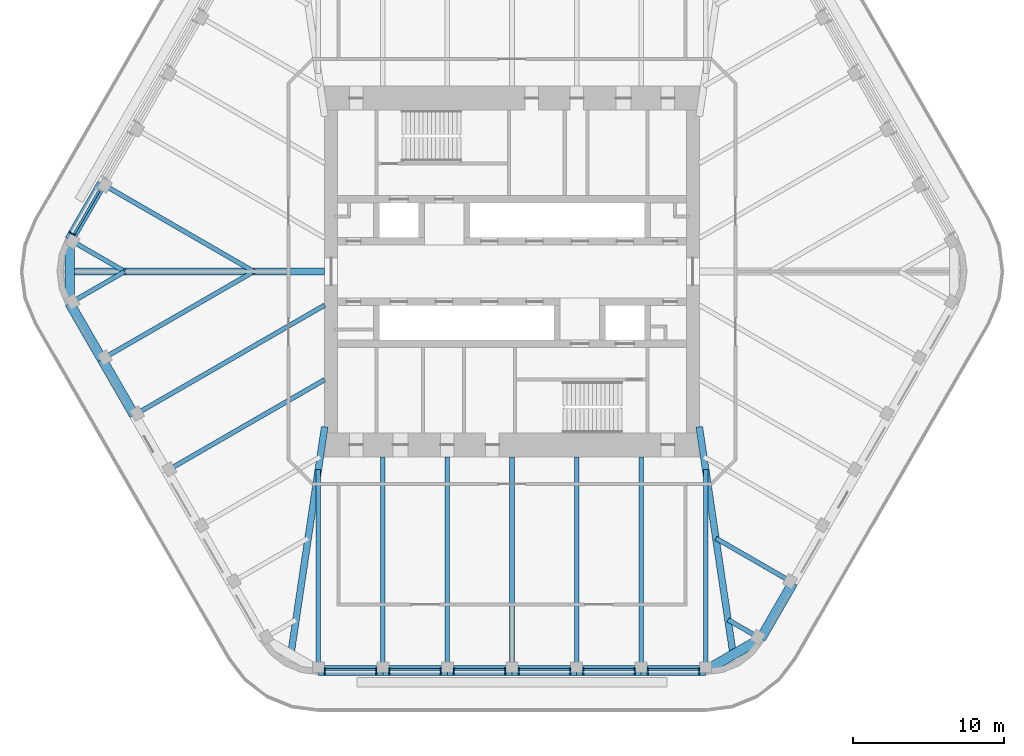
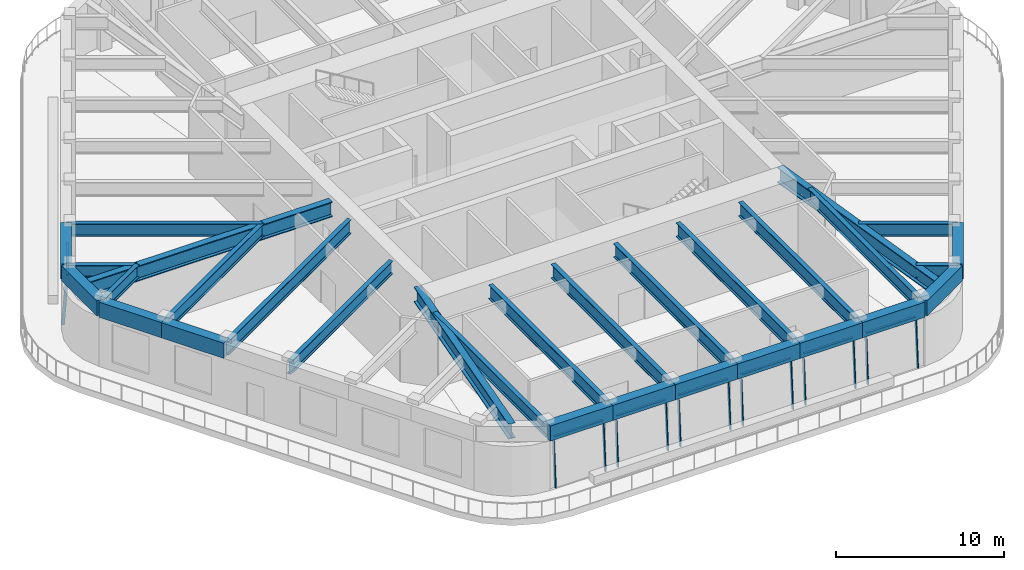
# One storey, part 2 of 13: 30 beams, 20 members, 7 elements without a shape of their own.
"""IFC4 building model written with IfcOpenShell, lengths in metres."""

from ifc_helpers import new_model, si_unit, direction, frame, origin, origin_2d, place, context, subcontext, project, spatial, rectangle, i_section, extrude, material, material_profile, profile_set, type_object, element, aggregate, save


model = new_model("IFC4")

# Units and contexts
model_context = context("Model", 3, precision=1e-05, world=origin(), true_north=direction((0.0, 1.0)))
body_context = subcontext(model_context, "Body", "Model", "MODEL_VIEW")
ifc_project = project(units=[si_unit("LENGTHUNIT", "METRE"), si_unit("AREAUNIT", "SQUARE_METRE"), si_unit("VOLUMEUNIT", "CUBIC_METRE"), si_unit("PLANEANGLEUNIT", "RADIAN"), si_unit("MASSUNIT", "GRAM", prefix="KILO")], contexts=[model_context])

# Site, building, storey
site_placement = place(None, origin())
site = spatial("IfcSite", under=ifc_project, at=site_placement, CompositionType="ELEMENT")
building_placement = place(site_placement, origin())
building = spatial("IfcBuilding", under=site, at=building_placement, Name="Tarfa Lantern Tower", CompositionType="ELEMENT")
storey_placement = place(building_placement, frame((0.0, 0.0, 391.300048828125)))
storey = spatial("IfcBuildingStorey", under=building, at=storey_placement, Name="L89", CompositionType="ELEMENT", Elevation=391.300048828125)

# Curtain wall, member
ifc_material_1 = material(Name="Aluminium framed curtain wall", Category="aluminium")
curtain_wall_type = type_object("IfcCurtainWallType", Name="CW5 CANTED GLAZING SKY LOBBY 3600", PredefinedType="USERDEFINED", material=ifc_material_1)
curtain_wall_1_placement = place(storey_placement, origin())
curtain_wall_1 = element("IfcCurtainWall", 1, at=curtain_wall_1_placement, inside=storey, type_object=curtain_wall_type, Name="CW5 NW L89", ObjectType="CURTAIN WALL", PredefinedType="USERDEFINED")
ifc_material_2 = material(Name="Aluminium mullion", Category="aluminium")
ifc_material_profile_1 = material_profile(ifc_material_2, rectangle(XDim=0.06494140625, YDim=0.199951171875, at=origin_2d()), Name="AL MULLION 65x200")
ifc_profile_set_1 = profile_set([ifc_material_profile_1], Name="Aluminium mullion")
member_type_1 = type_object("IfcMemberType", Name="CWM1 MULLION 65x200", PredefinedType="MULLION", material=ifc_profile_set_1)
member_1_placement = place(storey_placement, frame((-29.286376953125, 2.574462890625, 0.0), z_axis=(0.060011397565, -0.03464017537, 0.997596456696), x_axis=(0.499919672301, 0.866071776036, 0.0)))
member_1 = element("IfcMember", 2, at=member_1_placement, type_object=member_type_1, Name="CW5 mullion 2", PredefinedType="MULLION", context=body_context, shape_type="SweptSolid", body=[
    extrude(rectangle(XDim=0.06494140625, YDim=0.199951171875, at=origin_2d()), origin(), (0.0, 0.0, 1.0), 3.608642578125),
])

# Curtain wall, members
curtain_wall_2_placement = place(storey_placement, origin())
curtain_wall_2 = element("IfcCurtainWall", 3, at=curtain_wall_2_placement, inside=storey, type_object=curtain_wall_type, Name="CW5 S L89", ObjectType="CURTAIN WALL", PredefinedType="USERDEFINED")
member_2_placement = place(storey_placement, frame((-12.41357421875, -26.64990234375, 0.0), z_axis=(0.0, 0.069280404175, 0.997597226138), x_axis=(-1.0, 0.0, 0.0)))
member_2 = element("IfcMember", 4, at=member_2_placement, type_object=member_type_1, Name="CW5 mullion 1", PredefinedType="MULLION", context=body_context, shape_type="SweptSolid", body=[
    extrude(rectangle(XDim=0.06494140625, YDim=0.199951171875, at=origin_2d()), origin(), (0.0, 0.0, 1.0), 3.608642578125),
])
member_3_placement = place(storey_placement, frame((-8.99658203125, -26.64990234375, 0.0), z_axis=(0.0, 0.069280404175, 0.997597226138), x_axis=(-1.0, 0.0, 0.0)))
member_3 = element("IfcMember", 5, at=member_3_placement, type_object=member_type_1, Name="CW5 mullion 2", PredefinedType="MULLION", context=body_context, shape_type="SweptSolid", body=[
    extrude(rectangle(XDim=0.06494140625, YDim=0.199951171875, at=origin_2d()), origin(), (0.0, 0.0, 1.0), 3.608642578125),
])

curtain_wall_3_placement = place(storey_placement, origin())
curtain_wall_3 = element("IfcCurtainWall", 6, at=curtain_wall_3_placement, inside=storey, type_object=curtain_wall_type, Name="CW5 S L89", ObjectType="CURTAIN WALL", PredefinedType="USERDEFINED")
member_4_placement = place(storey_placement, frame((-8.131591796875, -26.64990234375, 0.0), z_axis=(0.0, 0.069280404175, 0.997597226138), x_axis=(-1.0, 0.0, 0.0)))
member_4 = element("IfcMember", 7, at=member_4_placement, type_object=member_type_1, Name="CW5 mullion 1", PredefinedType="MULLION", context=body_context, shape_type="SweptSolid", body=[
    extrude(rectangle(XDim=0.06494140625, YDim=0.199951171875, at=origin_2d()), origin(), (0.0, 0.0, 1.0), 3.608642578125),
])
member_5_placement = place(storey_placement, frame((-4.714599609375, -26.64990234375, 0.0), z_axis=(0.0, 0.069280404175, 0.997597226138), x_axis=(-1.0, 0.0, 0.0)))
member_5 = element("IfcMember", 8, at=member_5_placement, type_object=member_type_1, Name="CW5 mullion 2", PredefinedType="MULLION", context=body_context, shape_type="SweptSolid", body=[
    extrude(rectangle(XDim=0.06494140625, YDim=0.199951171875, at=origin_2d()), origin(), (0.0, 0.0, 1.0), 3.608642578125),
])

curtain_wall_4_placement = place(storey_placement, origin())
curtain_wall_4 = element("IfcCurtainWall", 9, at=curtain_wall_4_placement, inside=storey, type_object=curtain_wall_type, Name="CW5 S L89", ObjectType="CURTAIN WALL", PredefinedType="USERDEFINED")
member_6_placement = place(storey_placement, frame((-3.849609375, -26.64990234375, 0.0), z_axis=(0.0, 0.069280404175, 0.997597226138), x_axis=(-1.0, 0.0, 0.0)))
member_6 = element("IfcMember", 10, at=member_6_placement, type_object=member_type_1, Name="CW5 mullion 1", PredefinedType="MULLION", context=body_context, shape_type="SweptSolid", body=[
    extrude(rectangle(XDim=0.06494140625, YDim=0.199951171875, at=origin_2d()), origin(), (0.0, 0.0, 1.0), 3.608642578125),
])
member_7_placement = place(storey_placement, frame((-0.4326171875, -26.64990234375, 0.0), z_axis=(0.0, 0.069280404175, 0.997597226138), x_axis=(-1.0, 0.0, 0.0)))
member_7 = element("IfcMember", 11, at=member_7_placement, type_object=member_type_1, Name="CW5 mullion 2", PredefinedType="MULLION", context=body_context, shape_type="SweptSolid", body=[
    extrude(rectangle(XDim=0.06494140625, YDim=0.199951171875, at=origin_2d()), origin(), (0.0, 0.0, 1.0), 3.608642578125),
])

curtain_wall_5_placement = place(storey_placement, origin())
curtain_wall_5 = element("IfcCurtainWall", 12, at=curtain_wall_5_placement, inside=storey, type_object=curtain_wall_type, Name="CW5 S L89", ObjectType="CURTAIN WALL", PredefinedType="USERDEFINED")
member_8_placement = place(storey_placement, frame((0.4326171875, -26.64990234375, 0.0), z_axis=(0.0, 0.069280404175, 0.997597226138), x_axis=(-1.0, 0.0, 0.0)))
member_8 = element("IfcMember", 13, at=member_8_placement, type_object=member_type_1, Name="CW5 mullion 1", PredefinedType="MULLION", context=body_context, shape_type="SweptSolid", body=[
    extrude(rectangle(XDim=0.06494140625, YDim=0.199951171875, at=origin_2d()), origin(), (0.0, 0.0, 1.0), 3.608642578125),
])
member_9_placement = place(storey_placement, frame((3.849609375, -26.64990234375, 0.0), z_axis=(0.0, 0.069280404175, 0.997597226138), x_axis=(-1.0, 0.0, 0.0)))
member_9 = element("IfcMember", 14, at=member_9_placement, type_object=member_type_1, Name="CW5 mullion 2", PredefinedType="MULLION", context=body_context, shape_type="SweptSolid", body=[
    extrude(rectangle(XDim=0.06494140625, YDim=0.199951171875, at=origin_2d()), origin(), (0.0, 0.0, 1.0), 3.608642578125),
])

curtain_wall_6_placement = place(storey_placement, origin())
curtain_wall_6 = element("IfcCurtainWall", 15, at=curtain_wall_6_placement, inside=storey, type_object=curtain_wall_type, Name="CW5 S L89", ObjectType="CURTAIN WALL", PredefinedType="USERDEFINED")
member_10_placement = place(storey_placement, frame((4.714599609375, -26.64990234375, 0.0), z_axis=(0.0, 0.069280404175, 0.997597226138), x_axis=(-1.0, 0.0, 0.0)))
member_10 = element("IfcMember", 16, at=member_10_placement, type_object=member_type_1, Name="CW5 mullion 1", PredefinedType="MULLION", context=body_context, shape_type="SweptSolid", body=[
    extrude(rectangle(XDim=0.06494140625, YDim=0.199951171875, at=origin_2d()), origin(), (0.0, 0.0, 1.0), 3.608642578125),
])
member_11_placement = place(storey_placement, frame((8.131591796875, -26.64990234375, 0.0), z_axis=(0.0, 0.069280404175, 0.997597226138), x_axis=(-1.0, 0.0, 0.0)))
member_11 = element("IfcMember", 17, at=member_11_placement, type_object=member_type_1, Name="CW5 mullion 2", PredefinedType="MULLION", context=body_context, shape_type="SweptSolid", body=[
    extrude(rectangle(XDim=0.06494140625, YDim=0.199951171875, at=origin_2d()), origin(), (0.0, 0.0, 1.0), 3.608642578125),
])

curtain_wall_7_placement = place(storey_placement, origin())
curtain_wall_7 = element("IfcCurtainWall", 18, at=curtain_wall_7_placement, inside=storey, type_object=curtain_wall_type, Name="CW5 S L89", ObjectType="CURTAIN WALL", PredefinedType="USERDEFINED")
member_12_placement = place(storey_placement, frame((8.99658203125, -26.64990234375, 0.0), z_axis=(0.0, 0.069280404175, 0.997597226138), x_axis=(-1.0, 0.0, 0.0)))
member_12 = element("IfcMember", 19, at=member_12_placement, type_object=member_type_1, Name="CW5 mullion 1", PredefinedType="MULLION", context=body_context, shape_type="SweptSolid", body=[
    extrude(rectangle(XDim=0.06494140625, YDim=0.199951171875, at=origin_2d()), origin(), (0.0, 0.0, 1.0), 3.608642578125),
])
member_13_placement = place(storey_placement, frame((12.41357421875, -26.64990234375, 0.0), z_axis=(0.0, 0.069280404175, 0.997597226138), x_axis=(-1.0, 0.0, 0.0)))
member_13 = element("IfcMember", 20, at=member_13_placement, type_object=member_type_1, Name="CW5 mullion 2", PredefinedType="MULLION", context=body_context, shape_type="SweptSolid", body=[
    extrude(rectangle(XDim=0.06494140625, YDim=0.199951171875, at=origin_2d()), origin(), (0.0, 0.0, 1.0), 3.608642578125),
])

# Member
ifc_material_3 = material(Name="Aluminium transom", Category="aluminium")
ifc_material_profile_2 = material_profile(ifc_material_3, rectangle(XDim=0.14990234375, YDim=0.06494140625, at=origin_2d()), Name="AL TRANSOM 150x65")
ifc_profile_set_2 = profile_set([ifc_material_profile_2], Name="Aluminium transom")
member_type_2 = type_object("IfcMemberType", Name="CWT1 TRANSOM 150x65", PredefinedType="USERDEFINED", material=ifc_profile_set_2)
member_14_placement = place(storey_placement, frame((-27.379638671875, 5.3818359375, 3.5673828125), z_axis=(-0.499985139611, -0.866033983264, 0.0), x_axis=(0.866033983264, -0.499985139611, 0.0)))
member_14 = element("IfcMember", 21, at=member_14_placement, type_object=member_type_2, Name="CW5 transom 1.2", ObjectType="TRANSOM", PredefinedType="USERDEFINED", context=body_context, shape_type="SweptSolid", body=[
    extrude(rectangle(XDim=0.14990234375, YDim=0.06494140625, at=origin_2d()), origin(), (0.0, 0.0, 1.0), 3.35205078125),
])

aggregate(curtain_wall_1, [member_1, member_14])

member_15_placement = place(storey_placement, frame((-12.381103515625, -26.40234375, 3.5673828125), z_axis=(1.0, 0.0, 0.0), x_axis=(0.0, 1.0, 0.0)))
member_15 = element("IfcMember", 22, at=member_15_placement, type_object=member_type_2, Name="CW5 transom 1.2", ObjectType="TRANSOM", PredefinedType="USERDEFINED", context=body_context, shape_type="SweptSolid", body=[
    extrude(rectangle(XDim=0.14990234375, YDim=0.06494140625, at=origin_2d()), origin(), (0.0, 0.0, 1.0), 3.35205078125),
])

aggregate(curtain_wall_2, [member_2, member_3, member_15])

member_16_placement = place(storey_placement, frame((-8.09912109375, -26.40234375, 3.5673828125), z_axis=(1.0, 0.0, 0.0), x_axis=(0.0, 1.0, 0.0)))
member_16 = element("IfcMember", 23, at=member_16_placement, type_object=member_type_2, Name="CW5 transom 1.2", ObjectType="TRANSOM", PredefinedType="USERDEFINED", context=body_context, shape_type="SweptSolid", body=[
    extrude(rectangle(XDim=0.14990234375, YDim=0.06494140625, at=origin_2d()), origin(), (0.0, 0.0, 1.0), 3.35205078125),
])

aggregate(curtain_wall_3, [member_4, member_5, member_16])

member_17_placement = place(storey_placement, frame((-3.81689453125, -26.40234375, 3.5673828125), z_axis=(1.0, 0.0, 0.0), x_axis=(0.0, 1.0, 0.0)))
member_17 = element("IfcMember", 24, at=member_17_placement, type_object=member_type_2, Name="CW5 transom 1.2", ObjectType="TRANSOM", PredefinedType="USERDEFINED", context=body_context, shape_type="SweptSolid", body=[
    extrude(rectangle(XDim=0.14990234375, YDim=0.06494140625, at=origin_2d()), origin(), (0.0, 0.0, 1.0), 3.351806640625),
])

aggregate(curtain_wall_4, [member_6, member_7, member_17])

member_18_placement = place(storey_placement, frame((0.465087890625, -26.40234375, 3.5673828125), z_axis=(1.0, 0.0, 0.0), x_axis=(0.0, 1.0, 0.0)))
member_18 = element("IfcMember", 25, at=member_18_placement, type_object=member_type_2, Name="CW5 transom 1.2", ObjectType="TRANSOM", PredefinedType="USERDEFINED", context=body_context, shape_type="SweptSolid", body=[
    extrude(rectangle(XDim=0.14990234375, YDim=0.06494140625, at=origin_2d()), origin(), (0.0, 0.0, 1.0), 3.351806640625),
])

aggregate(curtain_wall_5, [member_8, member_9, member_18])

member_19_placement = place(storey_placement, frame((4.7470703125, -26.40234375, 3.5673828125), z_axis=(1.0, 0.0, 0.0), x_axis=(0.0, 1.0, 0.0)))
member_19 = element("IfcMember", 26, at=member_19_placement, type_object=member_type_2, Name="CW5 transom 1.2", ObjectType="TRANSOM", PredefinedType="USERDEFINED", context=body_context, shape_type="SweptSolid", body=[
    extrude(rectangle(XDim=0.14990234375, YDim=0.06494140625, at=origin_2d()), origin(), (0.0, 0.0, 1.0), 3.35205078125),
])

aggregate(curtain_wall_6, [member_10, member_11, member_19])

member_20_placement = place(storey_placement, frame((9.029052734375, -26.40234375, 3.5673828125), z_axis=(1.0, 0.0, 0.0), x_axis=(0.0, 1.0, 0.0)))
member_20 = element("IfcMember", 27, at=member_20_placement, type_object=member_type_2, Name="CW5 transom 1.2", ObjectType="TRANSOM", PredefinedType="USERDEFINED", context=body_context, shape_type="SweptSolid", body=[
    extrude(rectangle(XDim=0.14990234375, YDim=0.06494140625, at=origin_2d()), origin(), (0.0, 0.0, 1.0), 3.35205078125),
])

aggregate(curtain_wall_7, [member_12, member_13, member_20])

# Beams
ifc_material_4 = material(Name="Concrete C80/95", Category="concrete")
ifc_material_profile_3 = material_profile(ifc_material_4, rectangle(XDim=0.64990234375, YDim=1.10009765625, at=origin_2d()), Name="RC 650x1100")
ifc_profile_set_3 = profile_set([ifc_material_profile_3], Name="Concrete C80/95")
beam_type_1 = type_object("IfcBeamType", Name="EB4 RC 650x1100", PredefinedType="SPANDREL", material=ifc_profile_set_3)
beam_1_placement = place(storey_placement, frame((-27.205810546875, 5.818359375, 4.14990234375), z_axis=(-0.499984039138, -0.866034618596, 0.0), x_axis=(0.866034618596, -0.499984039138, 0.0)))
element("IfcBeam", 28, at=beam_1_placement, inside=storey, type_object=beam_type_1, Name="Edge beam NW5", PredefinedType="SPANDREL", context=body_context, shape_type="SweptSolid", body=[
    extrude(rectangle(XDim=0.64990234375, YDim=1.10009765625, at=origin_2d()), origin(), (0.0, 0.0, 1.0), 4.281982421875),
])
beam_2_placement = place(storey_placement, frame((-29.3466796875, 2.110107421875, 4.14990234375), z_axis=(0.0, -1.0, 0.0), x_axis=(1.0, 0.0, 0.0)))
element("IfcBeam", 29, at=beam_2_placement, inside=storey, type_object=beam_type_1, Name="Edge beam NW6", PredefinedType="SPANDREL", context=body_context, shape_type="SweptSolid", body=[
    extrude(rectangle(XDim=0.64990234375, YDim=1.10009765625, at=origin_2d()), origin(), (0.0, 0.0, 1.0), 4.22021484375),
])
for number, where, z_axis, x_axis, name in (
    (30, (-29.3466796875, -2.110107421875, 4.14990234375), (0.499984039138, -0.866034618596, 0.0), (0.866034618596, 0.499984039138, 0.0), "Edge beam SW0"),
    (31, (-27.205810546875, -5.818359375, 4.14990234375), (0.500026801138, -0.866009929587, 0.0), (0.866009929587, 0.500026801138, 0.0), "Edge beam SW1"),
    (32, (-12.845947265625, -26.469970703125, 4.14990234375), (1.0, 0.0, 0.0), (0.0, 1.0, 0.0), "Edge beam S0"),
    (33, (-8.56396484375, -26.469970703125, 4.14990234375), (1.0, 0.0, 0.0), (0.0, 1.0, 0.0), "Edge beam S1"),
    (34, (-4.281982421875, -26.469970703125, 4.14990234375), (1.0, 0.0, 0.0), (0.0, 1.0, 0.0), "Edge beam S2"),
    (35, (0.0, -26.469970703125, 4.14990234375), (1.0, 0.0, 0.0), (0.0, 1.0, 0.0), "Edge beam S3"),
    (36, (4.281982421875, -26.469970703125, 4.14990234375), (1.0, 0.0, 0.0), (0.0, 1.0, 0.0), "Edge beam S4"),
    (37, (8.56396484375, -26.469970703125, 4.14990234375), (1.0, 0.0, 0.0), (0.0, 1.0, 0.0), "Edge beam S5"),
):
    element("IfcBeam", number, at=place(storey_placement, frame(where, z_axis=z_axis, x_axis=x_axis)), inside=storey, type_object=beam_type_1, Name=name, PredefinedType="SPANDREL", context=body_context, shape_type="SweptSolid", body=[
        extrude(rectangle(XDim=0.64990234375, YDim=1.10009765625, at=origin_2d()), origin(), (0.0, 0.0, 1.0), 4.281982421875),
    ])
beam_3_placement = place(storey_placement, frame((12.845947265625, -26.469970703125, 4.14990234375), z_axis=(0.866048788483, 0.499959494327, 0.0), x_axis=(-0.499959494327, 0.866048788483, 0.0)))
element("IfcBeam", 38, at=beam_3_placement, inside=storey, type_object=beam_type_1, Name="Edge beam S6", PredefinedType="SPANDREL", context=body_context, shape_type="SweptSolid", body=[
    extrude(rectangle(XDim=0.64990234375, YDim=1.10009765625, at=origin_2d()), origin(), (0.0, 0.0, 1.0), 4.219970703125),
])
beam_4_placement = place(storey_placement, frame((16.500732421875, -24.360107421875, 4.14990234375), z_axis=(0.499959351497, 0.866048870937, 0.0), x_axis=(-0.866048870937, 0.499959351497, 0.0)))
element("IfcBeam", 39, at=beam_4_placement, inside=storey, type_object=beam_type_1, Name="Edge beam SE0", PredefinedType="SPANDREL", context=body_context, shape_type="SweptSolid", body=[
    extrude(rectangle(XDim=0.64990234375, YDim=1.10009765625, at=origin_2d()), origin(), (0.0, 0.0, 1.0), 4.281982421875),
])
ifc_material_5 = material(Name="Steel S460M", Category="steel")
ifc_material_profile_4 = material_profile(ifc_material_5, i_section(OverallWidth=0.449951171875, OverallDepth=1.10009765625, WebThickness=0.030029296875, FlangeThickness=0.06005859375, at=origin_2d()), Name="PG1100x450x655")
ifc_profile_set_4 = profile_set([ifc_material_profile_4], Name="Steel S460M")
beam_type_2 = type_object("IfcBeamType", Name="PG1100x450x655", PredefinedType="BEAM", material=ifc_profile_set_4)
beam_5_placement = place(storey_placement, frame((-12.425048828125, 0.0, 4.14990234375), z_axis=(-1.0, 0.0, 0.0), x_axis=(0.0, -1.0, 0.0)))
element("IfcBeam", 40, at=beam_5_placement, inside=storey, type_object=beam_type_2, Name="Hip girder W", PredefinedType="BEAM", context=body_context, shape_type="SweptSolid", body=[
    extrude(i_section(OverallWidth=0.449951171875, OverallDepth=1.10009765625, WebThickness=0.030029296875, FlangeThickness=0.06005859375, at=origin_2d()), origin(), (0.0, 0.0, 1.0), 16.921630859375),
])
for number, where, z_axis, x_axis, name in (
    (41, (-12.425048828125, -10.300048828125, 4.14990234375), (-0.147127069073, -0.989117599452, 0.0), (0.989117599452, -0.147127069073, 0.0), "Hip girder SW"),
    (42, (12.425048828125, -10.300048828125, 4.14990234375), (0.147127069073, -0.989117599452, 0.0), (0.989117599452, 0.147127069073, 0.0), "Hip girder SE"),
):
    element("IfcBeam", number, at=place(storey_placement, frame(where, z_axis=z_axis, x_axis=x_axis)), inside=storey, type_object=beam_type_2, Name=name, PredefinedType="BEAM", context=body_context, shape_type="SweptSolid", body=[
        extrude(i_section(OverallWidth=0.449951171875, OverallDepth=1.10009765625, WebThickness=0.030029296875, FlangeThickness=0.06005859375, at=origin_2d()), origin(), (0.0, 0.0, 1.0), 15.28125),
    ])
ifc_material_profile_5 = material_profile(ifc_material_5, i_section(OverallWidth=0.302001953125, OverallDepth=1.008056640625, WebThickness=0.02099609375, FlangeThickness=0.0400390625, FilletRadius=0.030029296875, at=origin_2d()), Name="UB1016x305x349")
ifc_profile_set_5 = profile_set([ifc_material_profile_5], Name="Steel S460M")
beam_type_3 = type_object("IfcBeamType", Name="UB1016x305x349", PredefinedType="BEAM", material=ifc_profile_set_5)
beam_6_placement = place(storey_placement, frame((-25.064697265625, -9.526611328125, 4.19580078125), z_axis=(0.866029591389, 0.499992746786, 0.0), x_axis=(-0.499992746786, 0.866029591389, 0.0)))
element("IfcBeam", 43, at=beam_6_placement, inside=storey, type_object=beam_type_3, Name="Floor beam SW2", PredefinedType="BEAM", context=body_context, shape_type="SweptSolid", body=[
    extrude(i_section(OverallWidth=0.302001953125, OverallDepth=1.008056640625, WebThickness=0.02099609375, FlangeThickness=0.0400390625, FilletRadius=0.030029296875, at=origin_2d()), origin(), (0.0, 0.0, 1.0), 14.594970703125),
])
for number, where, z_axis, x_axis, name in (
    (44, (-8.56396484375, -26.469970703125, 4.19580078125), (0.0, 1.0, 0.0), (-1.0, 0.0, 0.0), "Floor beam S1"),
    (45, (-4.281982421875, -26.469970703125, 4.19580078125), (0.0, 1.0, 0.0), (-1.0, 0.0, 0.0), "Floor beam S2"),
    (46, (0.0, -26.469970703125, 4.19580078125), (0.0, 1.0, 0.0), (-1.0, 0.0, 0.0), "Floor beam S3"),
    (47, (4.281982421875, -26.469970703125, 4.19580078125), (0.0, 1.0, 0.0), (-1.0, 0.0, 0.0), "Floor beam S4"),
    (48, (8.56396484375, -26.469970703125, 4.19580078125), (0.0, 1.0, 0.0), (-1.0, 0.0, 0.0), "Floor beam S5"),
):
    element("IfcBeam", number, at=place(storey_placement, frame(where, z_axis=z_axis, x_axis=x_axis)), inside=storey, type_object=beam_type_3, Name=name, PredefinedType="BEAM", context=body_context, shape_type="SweptSolid", body=[
        extrude(i_section(OverallWidth=0.302001953125, OverallDepth=1.008056640625, WebThickness=0.02099609375, FlangeThickness=0.0400390625, FilletRadius=0.030029296875, at=origin_2d()), origin(), (0.0, 0.0, 1.0), 14.169921875),
    ])
ifc_material_profile_6 = material_profile(ifc_material_5, i_section(OverallWidth=0.305419921875, OverallDepth=0.91845703125, WebThickness=0.017333984375, FlangeThickness=0.02783203125, FilletRadius=0.01904296875, at=origin_2d()), Name="UB914x305x253")
ifc_profile_set_6 = profile_set([ifc_material_profile_6], Name="Steel S460M")
beam_type_4 = type_object("IfcBeamType", Name="UB914x305x253", PredefinedType="BEAM", material=ifc_profile_set_6)
beam_7_placement = place(storey_placement, frame((-27.205810546875, 5.818359375, 4.24072265625), z_axis=(0.866024171998, -0.500002133511, 0.0), x_axis=(0.500002133511, 0.866024171998, 0.0)))
element("IfcBeam", 49, at=beam_7_placement, inside=storey, type_object=beam_type_4, Name="Floor beam NW5", PredefinedType="BEAM", context=body_context, shape_type="SweptSolid", body=[
    extrude(i_section(OverallWidth=0.305419921875, OverallDepth=0.91845703125, WebThickness=0.017333984375, FlangeThickness=0.02783203125, FilletRadius=0.01904296875, at=origin_2d()), origin(), (0.0, 0.0, 1.0), 11.63671875),
])
for number, where, z_axis, x_axis, name in (
    (50, (-29.3466796875, 2.110107421875, 4.24072265625), (0.866009274789, -0.500027935199, 0.0), (0.500027935199, 0.866009274789, 0.0), "Floor beam NW6"),
    (51, (-29.3466796875, -2.110107421875, 4.24072265625), (0.866009274789, 0.500027935199, 0.0), (-0.500027935199, 0.866009274789, 0.0), "Floor beam SW0"),
):
    element("IfcBeam", number, at=place(storey_placement, frame(where, z_axis=z_axis, x_axis=x_axis)), inside=storey, type_object=beam_type_4, Name=name, PredefinedType="BEAM", context=body_context, shape_type="SweptSolid", body=[
        extrude(i_section(OverallWidth=0.305419921875, OverallDepth=0.91845703125, WebThickness=0.017333984375, FlangeThickness=0.02783203125, FilletRadius=0.01904296875, at=origin_2d()), origin(), (0.0, 0.0, 1.0), 4.219970703125),
    ])
beam_8_placement = place(storey_placement, frame((-27.205810546875, -5.818359375, 4.24072265625), z_axis=(0.866024171998, 0.500002133511, 0.0), x_axis=(-0.500002133511, 0.866024171998, 0.0)))
element("IfcBeam", 52, at=beam_8_placement, inside=storey, type_object=beam_type_4, Name="Floor beam SW1", PredefinedType="BEAM", context=body_context, shape_type="SweptSolid", body=[
    extrude(i_section(OverallWidth=0.305419921875, OverallDepth=0.91845703125, WebThickness=0.017333984375, FlangeThickness=0.02783203125, FilletRadius=0.01904296875, at=origin_2d()), origin(), (0.0, 0.0, 1.0), 11.63671875),
])
beam_9_placement = place(storey_placement, frame((-22.923583984375, -13.235107421875, 4.24072265625), z_axis=(0.86601856927, 0.500011837539, 0.0), x_axis=(-0.500011837539, 0.86601856927, 0.0)))
element("IfcBeam", 53, at=beam_9_placement, inside=storey, type_object=beam_type_4, Name="Floor beam SW3", PredefinedType="BEAM", context=body_context, shape_type="SweptSolid", body=[
    extrude(i_section(OverallWidth=0.305419921875, OverallDepth=0.91845703125, WebThickness=0.017333984375, FlangeThickness=0.02783203125, FilletRadius=0.01904296875, at=origin_2d()), origin(), (0.0, 0.0, 1.0), 12.122802734375),
])
for number, where, z_axis, x_axis, name in (
    (54, (-12.845947265625, -26.469970703125, 4.24072265625), (0.0, 1.0, 0.0), (-1.0, 0.0, 0.0), "Floor beam S0"),
    (55, (12.845947265625, -26.469970703125, 4.24072265625), (0.0, 1.0, 0.0), (-1.0, 0.0, 0.0), "Floor beam S6"),
):
    element("IfcBeam", number, at=place(storey_placement, frame(where, z_axis=z_axis, x_axis=x_axis)), inside=storey, type_object=beam_type_4, Name=name, PredefinedType="BEAM", context=body_context, shape_type="SweptSolid", body=[
        extrude(i_section(OverallWidth=0.305419921875, OverallDepth=0.91845703125, WebThickness=0.017333984375, FlangeThickness=0.02783203125, FilletRadius=0.01904296875, at=origin_2d()), origin(), (0.0, 0.0, 1.0), 13.33935546875),
    ])
beam_10_placement = place(storey_placement, frame((16.500732421875, -24.360107421875, 4.24072265625), z_axis=(-0.865992557167, 0.500056887695, 0.0), x_axis=(-0.500056887695, -0.865992557167, 0.0)))
element("IfcBeam", 56, at=beam_10_placement, inside=storey, type_object=beam_type_4, Name="Floor beam SE0", PredefinedType="BEAM", context=body_context, shape_type="SweptSolid", body=[
    extrude(i_section(OverallWidth=0.305419921875, OverallDepth=0.91845703125, WebThickness=0.017333984375, FlangeThickness=0.02783203125, FilletRadius=0.01904296875, at=origin_2d()), origin(), (0.0, 0.0, 1.0), 2.506591796875),
])
beam_11_placement = place(storey_placement, frame((18.6416015625, -20.651611328125, 4.24072265625), z_axis=(-0.866024549157, 0.500001480256, 0.0), x_axis=(-0.500001480256, -0.866024549157, 0.0)))
element("IfcBeam", 57, at=beam_11_placement, inside=storey, type_object=beam_type_4, Name="Floor beam SE1", PredefinedType="BEAM", context=body_context, shape_type="SweptSolid", body=[
    extrude(i_section(OverallWidth=0.305419921875, OverallDepth=0.91845703125, WebThickness=0.017333984375, FlangeThickness=0.02783203125, FilletRadius=0.01904296875, at=origin_2d()), origin(), (0.0, 0.0, 1.0), 5.90771484375),
])

save(model, "model.ifc")
